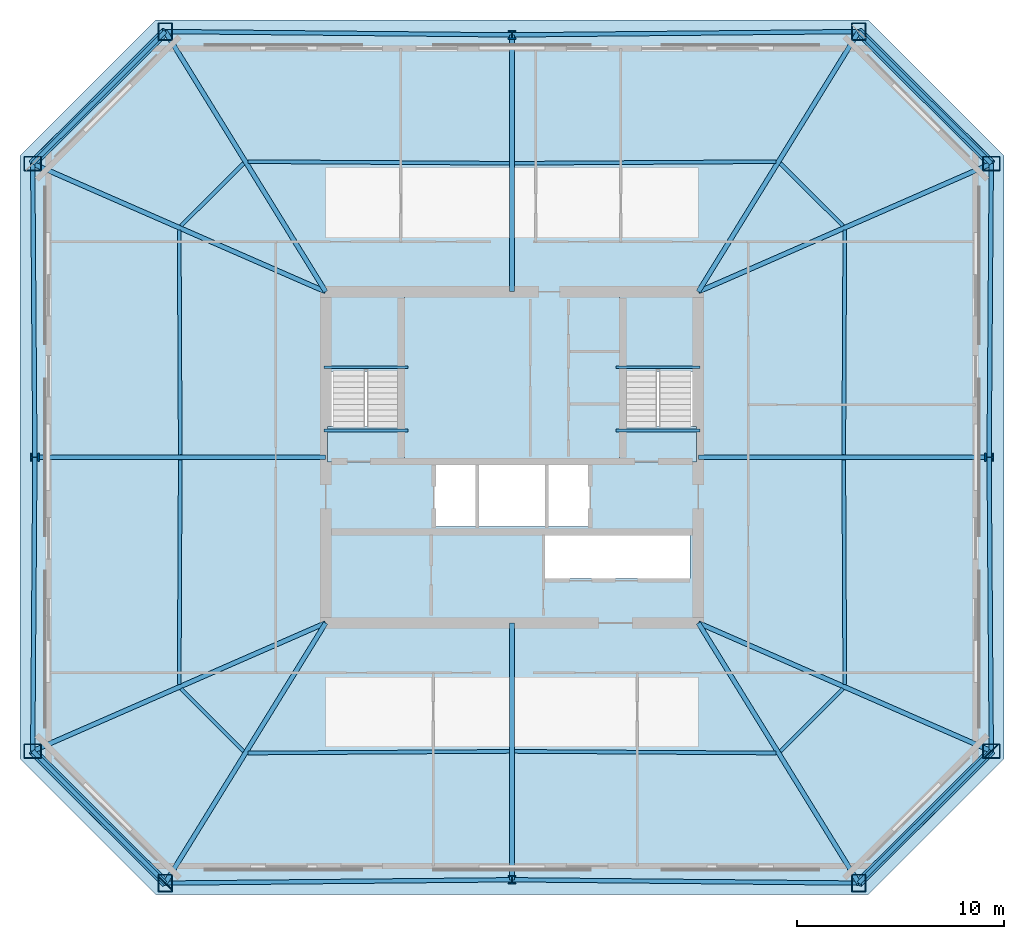
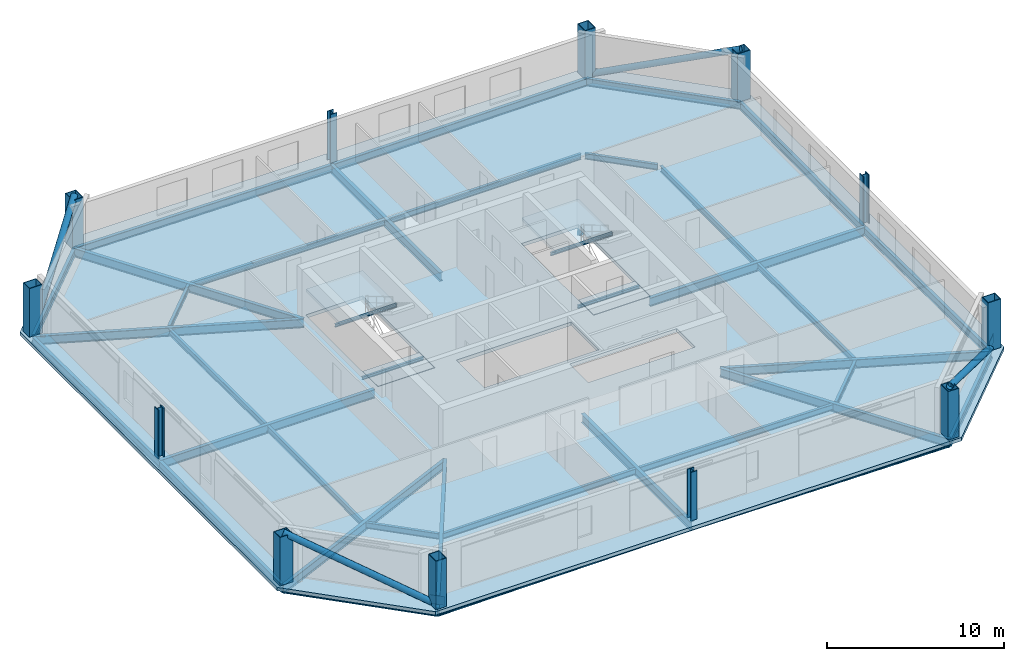
# One storey, part 1 of 6: 40 beams, 12 columns, 5 slabs, 4 members, 2 plates, 2 elements without a shape of their own.
"""IFC4 building model written with IfcOpenShell, lengths in metres."""

from ifc_helpers import new_model, si_unit, direction, frame, origin, origin_2d, place, context, subcontext, project, spatial, polyline, rectangle, hollow_rectangle, hollow_circle, i_section, outline, extrude, material, layer, layer_set, material_profile, profile_set, type_object, element, aggregate, save


model = new_model("IFC4")

# Units and contexts
model_context = context("Model", 3, precision=1e-05, world=origin(), true_north=direction((0.0, 1.0)))
body_context = subcontext(model_context, "Body", "Model", "MODEL_VIEW")
ifc_project = project(units=[si_unit("LENGTHUNIT", "METRE"), si_unit("AREAUNIT", "SQUARE_METRE"), si_unit("VOLUMEUNIT", "CUBIC_METRE"), si_unit("PLANEANGLEUNIT", "RADIAN"), si_unit("MASSUNIT", "GRAM", prefix="KILO")], contexts=[model_context])

# Site, building, storey
site_placement = place(None, origin())
site = spatial("IfcSite", under=ifc_project, at=site_placement, CompositionType="ELEMENT")
building_placement = place(site_placement, origin())
building = spatial("IfcBuilding", under=site, at=building_placement, Name="Caelvoria Tower", CompositionType="ELEMENT")
storey_placement = place(building_placement, frame((0.0, 0.0, 180.60009765625)))
storey = spatial("IfcBuildingStorey", under=building, at=storey_placement, Name="L47", CompositionType="ELEMENT", Elevation=180.60009765625)

# Columns
ifc_material_1 = material(Name="Structural Steel ASTM A572 Gr.50", Category="steel")
ifc_material_profile_1 = material_profile(ifc_material_1, hollow_rectangle(XDim=0.699951171875, YDim=0.85009765625, WallThickness=0.0400390625, at=origin_2d()), Name="Structural Steel ASTM A572 Gr.50")
ifc_profile_set_1 = profile_set([ifc_material_profile_1], Name="BOX850X700X40 - Structural Steel ASTM A572 Gr.50")
column_type_1 = type_object("IfcColumnType", Name="Mega Box Column 850x700x40", PredefinedType="COLUMN", material=ifc_profile_set_1)
for number, where, z_axis, x_axis, name in (
    (1, (29.254638671875, 11.438232421875, 0.0), (0.0, 0.0, 1.0), (1.0, 0.0, 0.0), "Perimeter Megaframe Column L47-P00"),
    (2, (62.745361328125, 11.438232421875, 0.0), (0.0, 0.0, 1.0), (1.0, 0.0, 0.0), "Perimeter Megaframe Column L47-P02"),
    (3, (69.14599609375, 17.816162109375, 0.0), (0.0, 0.0, 1.0), (0.0, 1.0, 0.0), "Perimeter Megaframe Column L47-P03"),
    (4, (69.14599609375, 46.183837890625, 0.0), (0.0, 0.0, 1.0), (0.0, 1.0, 0.0), "Perimeter Megaframe Column L47-P05"),
    (5, (62.745361328125, 52.561767578125, 0.0), (0.0, 0.0, 1.0), (1.0, 0.0, 0.0), "Perimeter Megaframe Column L47-P06"),
    (6, (29.254638671875, 52.561767578125, 0.0), (0.0, 0.0, 1.0), (1.0, 0.0, 0.0), "Perimeter Megaframe Column L47-P08"),
    (7, (22.85400390625, 46.183837890625, 0.0), (0.0, 0.0, 1.0), (0.0, 1.0, 0.0), "Perimeter Megaframe Column L47-P09"),
    (8, (22.85400390625, 17.816162109375, 0.0), (0.0, 0.0, 1.0), (0.0, 1.0, 0.0), "Perimeter Megaframe Column L47-P11"),
):
    element("IfcColumn", number, at=place(storey_placement, frame(where, z_axis=z_axis, x_axis=x_axis)), inside=storey, type_object=column_type_1, Name=name, PredefinedType="COLUMN", context=body_context, shape_type="SweptSolid", body=[
        extrude(hollow_rectangle(XDim=0.699951171875, YDim=0.85009765625, WallThickness=0.0400390625, at=origin_2d()), origin(), (0.0, 0.0, 1.0), 3.35791015625),
    ])
ifc_material_2 = material(Name="Structural Steel ASTM A992 Gr.50", Category="steel")
ifc_material_profile_2 = material_profile(ifc_material_2, i_section(OverallWidth=0.406005859375, OverallDepth=0.425048828125, WebThickness=0.03271484375, FlangeThickness=0.052490234375, FilletRadius=0.02490234375, at=origin_2d()), Name="Structural Steel ASTM A992 Gr.50")
ifc_profile_set_2 = profile_set([ifc_material_profile_2], Name="W360X421 - Structural Steel ASTM A992 Gr.50")
column_type_2 = type_object("IfcColumnType", Name="Mid Frame Column W360X421", PredefinedType="COLUMN", material=ifc_profile_set_2)
for number, where, z_axis, x_axis, name in (
    (9, (46.0, 11.60009765625, 0.0), (0.0, 0.0, 1.0), (1.0, 0.0, 0.0), "Perimeter Megaframe Column L47-P01"),
    (10, (69.0400390625, 32.0, 0.0), (0.0, 0.0, 1.0), (0.0, 1.0, 0.0), "Perimeter Megaframe Column L47-P04"),
    (11, (46.0, 52.39990234375, 0.0), (0.0, 0.0, 1.0), (1.0, 0.0, 0.0), "Perimeter Megaframe Column L47-P07"),
    (12, (22.9599609375, 32.0, 0.0), (0.0, 0.0, 1.0), (0.0, 1.0, 0.0), "Perimeter Megaframe Column L47-P10"),
):
    element("IfcColumn", number, at=place(storey_placement, frame(where, z_axis=z_axis, x_axis=x_axis)), inside=storey, type_object=column_type_2, Name=name, PredefinedType="COLUMN", context=body_context, shape_type="SweptSolid", body=[
        extrude(i_section(OverallWidth=0.406005859375, OverallDepth=0.425048828125, WebThickness=0.03271484375, FlangeThickness=0.052490234375, FilletRadius=0.02490234375, at=origin_2d()), origin(), (0.0, 0.0, 1.0), 3.35791015625),
    ])

# Beams
ifc_material_profile_3 = material_profile(ifc_material_2, i_section(OverallWidth=0.134033203125, OverallDepth=0.2099609375, WebThickness=0.00634765625, FlangeThickness=0.01025390625, FilletRadius=0.010009765625, at=origin_2d()), Name="Structural Steel ASTM A992 Gr.50")
ifc_profile_set_3 = profile_set([ifc_material_profile_3], Name="W200X31.3 - Structural Steel ASTM A992 Gr.50")
beam_type_1 = type_object("IfcBeamType", Name="Canopy Edge Trim Beam W200X31.3", PredefinedType="BEAM", material=ifc_profile_set_3)
for number, where, z_axis, x_axis, name in (
    (13, (36.929931640625, 36.35009765625, 1.494873046875), (1.0, 0.0, 0.0), (0.0, 1.0, 0.0), "ST-01 Half-Landing Support Beam L47"),
    (14, (36.929931640625, 33.300048828125, -0.30517578125), (1.0, 0.0, 0.0), (0.0, 1.0, 0.0), "ST-01 Floor-Landing Support Beam L47"),
    (15, (51.030029296875, 36.35009765625, 1.494873046875), (1.0, 0.0, 0.0), (0.0, 1.0, 0.0), "ST-02 Half-Landing Support Beam L47"),
    (16, (51.030029296875, 33.300048828125, -0.30517578125), (1.0, 0.0, 0.0), (0.0, 1.0, 0.0), "ST-02 Floor-Landing Support Beam L47"),
):
    element("IfcBeam", number, at=place(storey_placement, frame(where, z_axis=z_axis, x_axis=x_axis)), inside=storey, type_object=beam_type_1, Name=name, PredefinedType="BEAM", context=body_context, shape_type="SweptSolid", body=[
        extrude(i_section(OverallWidth=0.134033203125, OverallDepth=0.2099609375, WebThickness=0.00634765625, FlangeThickness=0.01025390625, FilletRadius=0.010009765625, at=origin_2d()), origin(), (0.0, 0.0, 1.0), 4.0400390625),
    ])
ifc_material_profile_4 = material_profile(ifc_material_2, i_section(OverallWidth=0.22802734375, OverallDepth=0.60302734375, WebThickness=0.010498046875, FlangeThickness=0.014892578125, FilletRadius=0.01806640625, at=origin_2d()), Name="Structural Steel ASTM A992 Gr.50")
ifc_profile_set_4 = profile_set([ifc_material_profile_4], Name="W610X101 - Structural Steel ASTM A992 Gr.50")
beam_type_2 = type_object("IfcBeamType", Name="Primary Floor Girder W610X101", PredefinedType="BEAM", material=ifc_profile_set_4)
beam_1_placement = place(storey_placement, frame((37.0, 24.0, -0.54150390625), z_axis=(-0.524836565111, -0.851203019216, 0.0), x_axis=(0.851203019216, -0.524836565111, 0.0)))
element("IfcBeam", 17, at=beam_1_placement, inside=storey, type_object=beam_type_2, Name="Primary Floor Girder L47-00", PredefinedType="BEAM", context=body_context, shape_type="SweptSolid", body=[
    extrude(i_section(OverallWidth=0.22802734375, OverallDepth=0.60302734375, WebThickness=0.010498046875, FlangeThickness=0.014892578125, FilletRadius=0.01806640625, at=origin_2d()), origin(), (0.0, 0.0, 1.0), 14.757568359375),
])
beam_2_placement = place(storey_placement, frame((46.0, 24.0, -0.54150390625), z_axis=(0.0, -1.0, 0.0), x_axis=(1.0, 0.0, 0.0)))
element("IfcBeam", 18, at=beam_2_placement, inside=storey, type_object=beam_type_2, Name="Primary Floor Girder L47-01", PredefinedType="BEAM", context=body_context, shape_type="SweptSolid", body=[
    extrude(i_section(OverallWidth=0.22802734375, OverallDepth=0.60302734375, WebThickness=0.010498046875, FlangeThickness=0.014892578125, FilletRadius=0.01806640625, at=origin_2d()), origin(), (0.0, 0.0, 1.0), 12.39990234375),
])
beam_3_placement = place(storey_placement, frame((55.0, 24.0, -0.54150390625), z_axis=(0.524836565111, -0.851203019216, 0.0), x_axis=(0.851203019216, 0.524836565111, 0.0)))
element("IfcBeam", 19, at=beam_3_placement, inside=storey, type_object=beam_type_2, Name="Primary Floor Girder L47-02", PredefinedType="BEAM", context=body_context, shape_type="SweptSolid", body=[
    extrude(i_section(OverallWidth=0.22802734375, OverallDepth=0.60302734375, WebThickness=0.010498046875, FlangeThickness=0.014892578125, FilletRadius=0.01806640625, at=origin_2d()), origin(), (0.0, 0.0, 1.0), 14.757568359375),
])
beam_4_placement = place(storey_placement, frame((55.0, 24.0, -0.54150390625), z_axis=(0.916277063291, -0.400545057749, 0.0), x_axis=(0.400545057749, 0.916277063291, 0.0)))
element("IfcBeam", 20, at=beam_4_placement, inside=storey, type_object=beam_type_2, Name="Primary Floor Girder L47-03", PredefinedType="BEAM", context=body_context, shape_type="SweptSolid", body=[
    extrude(i_section(OverallWidth=0.22802734375, OverallDepth=0.60302734375, WebThickness=0.010498046875, FlangeThickness=0.014892578125, FilletRadius=0.01806640625, at=origin_2d()), origin(), (0.0, 0.0, 1.0), 15.4384765625),
])
beam_5_placement = place(storey_placement, frame((55.0, 32.0, -0.54150390625), z_axis=(1.0, 0.0, 0.0), x_axis=(0.0, 1.0, 0.0)))
element("IfcBeam", 21, at=beam_5_placement, inside=storey, type_object=beam_type_2, Name="Primary Floor Girder L47-04", PredefinedType="BEAM", context=body_context, shape_type="SweptSolid", body=[
    extrude(i_section(OverallWidth=0.22802734375, OverallDepth=0.60302734375, WebThickness=0.010498046875, FlangeThickness=0.014892578125, FilletRadius=0.01806640625, at=origin_2d()), origin(), (0.0, 0.0, 1.0), 14.0400390625),
])
beam_6_placement = place(storey_placement, frame((55.0, 40.0, -0.54150390625), z_axis=(0.916277063291, 0.400545057749, 0.0), x_axis=(-0.400545057749, 0.916277063291, 0.0)))
element("IfcBeam", 22, at=beam_6_placement, inside=storey, type_object=beam_type_2, Name="Primary Floor Girder L47-05", PredefinedType="BEAM", context=body_context, shape_type="SweptSolid", body=[
    extrude(i_section(OverallWidth=0.22802734375, OverallDepth=0.60302734375, WebThickness=0.010498046875, FlangeThickness=0.014892578125, FilletRadius=0.01806640625, at=origin_2d()), origin(), (0.0, 0.0, 1.0), 15.4384765625),
])
beam_7_placement = place(storey_placement, frame((55.0, 40.0, -0.54150390625), z_axis=(0.524836565111, 0.851203019216, 0.0), x_axis=(-0.851203019216, 0.524836565111, 0.0)))
element("IfcBeam", 23, at=beam_7_placement, inside=storey, type_object=beam_type_2, Name="Primary Floor Girder L47-06", PredefinedType="BEAM", context=body_context, shape_type="SweptSolid", body=[
    extrude(i_section(OverallWidth=0.22802734375, OverallDepth=0.60302734375, WebThickness=0.010498046875, FlangeThickness=0.014892578125, FilletRadius=0.01806640625, at=origin_2d()), origin(), (0.0, 0.0, 1.0), 14.757568359375),
])
beam_8_placement = place(storey_placement, frame((46.0, 40.0, -0.54150390625), z_axis=(0.0, 1.0, 0.0), x_axis=(-1.0, 0.0, 0.0)))
element("IfcBeam", 24, at=beam_8_placement, inside=storey, type_object=beam_type_2, Name="Primary Floor Girder L47-07", PredefinedType="BEAM", context=body_context, shape_type="SweptSolid", body=[
    extrude(i_section(OverallWidth=0.22802734375, OverallDepth=0.60302734375, WebThickness=0.010498046875, FlangeThickness=0.014892578125, FilletRadius=0.01806640625, at=origin_2d()), origin(), (0.0, 0.0, 1.0), 12.39990234375),
])
beam_9_placement = place(storey_placement, frame((37.0, 40.0, -0.54150390625), z_axis=(-0.524836565111, 0.851203019216, 0.0), x_axis=(-0.851203019216, -0.524836565111, 0.0)))
element("IfcBeam", 25, at=beam_9_placement, inside=storey, type_object=beam_type_2, Name="Primary Floor Girder L47-08", PredefinedType="BEAM", context=body_context, shape_type="SweptSolid", body=[
    extrude(i_section(OverallWidth=0.22802734375, OverallDepth=0.60302734375, WebThickness=0.010498046875, FlangeThickness=0.014892578125, FilletRadius=0.01806640625, at=origin_2d()), origin(), (0.0, 0.0, 1.0), 14.757568359375),
])
beam_10_placement = place(storey_placement, frame((37.0, 40.0, -0.54150390625), z_axis=(-0.916277063291, 0.400545057749, 0.0), x_axis=(-0.400545057749, -0.916277063291, 0.0)))
element("IfcBeam", 26, at=beam_10_placement, inside=storey, type_object=beam_type_2, Name="Primary Floor Girder L47-09", PredefinedType="BEAM", context=body_context, shape_type="SweptSolid", body=[
    extrude(i_section(OverallWidth=0.22802734375, OverallDepth=0.60302734375, WebThickness=0.010498046875, FlangeThickness=0.014892578125, FilletRadius=0.01806640625, at=origin_2d()), origin(), (0.0, 0.0, 1.0), 15.4384765625),
])
beam_11_placement = place(storey_placement, frame((37.0, 32.0, -0.54150390625), z_axis=(-1.0, 0.0, 0.0), x_axis=(0.0, -1.0, 0.0)))
element("IfcBeam", 27, at=beam_11_placement, inside=storey, type_object=beam_type_2, Name="Primary Floor Girder L47-10", PredefinedType="BEAM", context=body_context, shape_type="SweptSolid", body=[
    extrude(i_section(OverallWidth=0.22802734375, OverallDepth=0.60302734375, WebThickness=0.010498046875, FlangeThickness=0.014892578125, FilletRadius=0.01806640625, at=origin_2d()), origin(), (0.0, 0.0, 1.0), 14.0400390625),
])
beam_12_placement = place(storey_placement, frame((37.0, 24.0, -0.54150390625), z_axis=(-0.916277063291, -0.400545057749, 0.0), x_axis=(0.400545057749, -0.916277063291, 0.0)))
element("IfcBeam", 28, at=beam_12_placement, inside=storey, type_object=beam_type_2, Name="Primary Floor Girder L47-11", PredefinedType="BEAM", context=body_context, shape_type="SweptSolid", body=[
    extrude(i_section(OverallWidth=0.22802734375, OverallDepth=0.60302734375, WebThickness=0.010498046875, FlangeThickness=0.014892578125, FilletRadius=0.01806640625, at=origin_2d()), origin(), (0.0, 0.0, 1.0), 15.4384765625),
])
ifc_material_profile_5 = material_profile(ifc_material_2, i_section(OverallWidth=0.177978515625, OverallDepth=0.406982421875, WebThickness=0.0078125, FlangeThickness=0.0126953125, FilletRadius=0.013916015625, at=origin_2d()), Name="Structural Steel ASTM A992 Gr.50")
ifc_profile_set_5 = profile_set([ifc_material_profile_5], Name="W410X60 - Structural Steel ASTM A992 Gr.50")
beam_type_3 = type_object("IfcBeamType", Name="Secondary Floor Beam W410X60", PredefinedType="BEAM", material=ifc_profile_set_5)
for number, where, z_axis, x_axis, name in (
    (29, (33.252197265625, 17.719970703125, -0.443603515625), (0.999980244302, 0.00628577799, 0.0), (-0.00628577799, 0.999980244302, 0.0), "Secondary Floor Beam L47-00"),
    (30, (46.125, 17.79931640625, -0.443603515625), (0.999980244302, -0.00628577799, 0.0), (0.00628577799, 0.999980244302, 0.0), "Secondary Floor Beam L47-01"),
):
    element("IfcBeam", number, at=place(storey_placement, frame(where, z_axis=z_axis, x_axis=x_axis)), inside=storey, type_object=beam_type_3, Name=name, PredefinedType="BEAM", context=body_context, shape_type="SweptSolid", body=[
        extrude(i_section(OverallWidth=0.177978515625, OverallDepth=0.406982421875, WebThickness=0.0078125, FlangeThickness=0.0126953125, FilletRadius=0.013916015625, at=origin_2d()), origin(), (0.0, 0.0, 1.0), 12.623046875),
    ])
beam_13_placement = place(storey_placement, frame((58.961181640625, 17.807373046875, -0.443603515625), z_axis=(0.708392660482, 0.705818559245, 0.0), x_axis=(-0.705818559245, 0.708392660482, 0.0)))
element("IfcBeam", 31, at=beam_13_placement, inside=storey, type_object=beam_type_3, Name="Secondary Floor Beam L47-02", PredefinedType="BEAM", context=body_context, shape_type="SweptSolid", body=[
    extrude(i_section(OverallWidth=0.177978515625, OverallDepth=0.406982421875, WebThickness=0.0078125, FlangeThickness=0.0126953125, FilletRadius=0.013916015625, at=origin_2d()), origin(), (0.0, 0.0, 1.0), 4.26806640625),
])
for number, where, z_axis, x_axis, name in (
    (32, (62.072509765625, 21.033203125, -0.443603515625), (-0.004796377903, 0.999988497313, 0.0), (-0.999988497313, -0.004796377903, 0.0), "Secondary Floor Beam L47-03"),
    (33, (62.0205078125, 32.125, -0.443603515625), (0.004796377903, 0.999988497313, 0.0), (-0.999988497313, 0.004796377903, 0.0), "Secondary Floor Beam L47-04"),
):
    element("IfcBeam", number, at=place(storey_placement, frame(where, z_axis=z_axis, x_axis=x_axis)), inside=storey, type_object=beam_type_3, Name=name, PredefinedType="BEAM", context=body_context, shape_type="SweptSolid", body=[
        extrude(i_section(OverallWidth=0.177978515625, OverallDepth=0.406982421875, WebThickness=0.0078125, FlangeThickness=0.0126953125, FilletRadius=0.013916015625, at=origin_2d()), origin(), (0.0, 0.0, 1.0), 10.842041015625),
    ])
beam_14_placement = place(storey_placement, frame((61.984619140625, 43.18017578125, -0.443603515625), z_axis=(-0.708392660482, 0.705818559245, 0.0), x_axis=(-0.705818559245, -0.708392660482, 0.0)))
element("IfcBeam", 34, at=beam_14_placement, inside=storey, type_object=beam_type_3, Name="Secondary Floor Beam L47-05", PredefinedType="BEAM", context=body_context, shape_type="SweptSolid", body=[
    extrude(i_section(OverallWidth=0.177978515625, OverallDepth=0.406982421875, WebThickness=0.0078125, FlangeThickness=0.0126953125, FilletRadius=0.013916015625, at=origin_2d()), origin(), (0.0, 0.0, 1.0), 4.26806640625),
])
for number, where, z_axis, x_axis, name in (
    (35, (58.747802734375, 46.280029296875, -0.443603515625), (-0.999980244302, -0.00628577799, 0.0), (0.00628577799, -0.999980244302, 0.0), "Secondary Floor Beam L47-06"),
    (36, (45.875, 46.20068359375, -0.443603515625), (-0.999980244302, 0.00628577799, 0.0), (-0.00628577799, -0.999980244302, 0.0), "Secondary Floor Beam L47-07"),
):
    element("IfcBeam", number, at=place(storey_placement, frame(where, z_axis=z_axis, x_axis=x_axis)), inside=storey, type_object=beam_type_3, Name=name, PredefinedType="BEAM", context=body_context, shape_type="SweptSolid", body=[
        extrude(i_section(OverallWidth=0.177978515625, OverallDepth=0.406982421875, WebThickness=0.0078125, FlangeThickness=0.0126953125, FilletRadius=0.013916015625, at=origin_2d()), origin(), (0.0, 0.0, 1.0), 12.623046875),
    ])
beam_15_placement = place(storey_placement, frame((33.038818359375, 46.192626953125, -0.443603515625), z_axis=(-0.708392660482, -0.705818559245, 0.0), x_axis=(0.705818559245, -0.708392660482, 0.0)))
element("IfcBeam", 37, at=beam_15_placement, inside=storey, type_object=beam_type_3, Name="Secondary Floor Beam L47-08", PredefinedType="BEAM", context=body_context, shape_type="SweptSolid", body=[
    extrude(i_section(OverallWidth=0.177978515625, OverallDepth=0.406982421875, WebThickness=0.0078125, FlangeThickness=0.0126953125, FilletRadius=0.013916015625, at=origin_2d()), origin(), (0.0, 0.0, 1.0), 4.26806640625),
])
for number, where, z_axis, x_axis, name in (
    (38, (29.927490234375, 42.966796875, -0.443603515625), (0.004796377903, -0.999988497313, 0.0), (0.999988497313, 0.004796377903, 0.0), "Secondary Floor Beam L47-09"),
    (39, (29.9794921875, 31.875, -0.443603515625), (-0.004796377903, -0.999988497313, 0.0), (0.999988497313, -0.004796377903, 0.0), "Secondary Floor Beam L47-10"),
):
    element("IfcBeam", number, at=place(storey_placement, frame(where, z_axis=z_axis, x_axis=x_axis)), inside=storey, type_object=beam_type_3, Name=name, PredefinedType="BEAM", context=body_context, shape_type="SweptSolid", body=[
        extrude(i_section(OverallWidth=0.177978515625, OverallDepth=0.406982421875, WebThickness=0.0078125, FlangeThickness=0.0126953125, FilletRadius=0.013916015625, at=origin_2d()), origin(), (0.0, 0.0, 1.0), 10.842041015625),
    ])
beam_16_placement = place(storey_placement, frame((30.015380859375, 20.81982421875, -0.443603515625), z_axis=(0.708392660482, -0.705818559245, 0.0), x_axis=(0.705818559245, 0.708392660482, 0.0)))
element("IfcBeam", 40, at=beam_16_placement, inside=storey, type_object=beam_type_3, Name="Secondary Floor Beam L47-11", PredefinedType="BEAM", context=body_context, shape_type="SweptSolid", body=[
    extrude(i_section(OverallWidth=0.177978515625, OverallDepth=0.406982421875, WebThickness=0.0078125, FlangeThickness=0.0126953125, FilletRadius=0.013916015625, at=origin_2d()), origin(), (0.0, 0.0, 1.0), 4.26806640625),
])

# Members
ifc_material_profile_6 = material_profile(ifc_material_1, hollow_circle(Radius=0.202880859375, WallThickness=0.01611328125, at=origin_2d()), Name="Structural Steel ASTM A572 Gr.50")
ifc_profile_set_6 = profile_set([ifc_material_profile_6], Name="CHS406X16 - Structural Steel ASTM A572 Gr.50")
member_type = type_object("IfcMemberType", Name="Upper Perimeter Mega Brace CHS406X16", PredefinedType="BRACE", material=ifc_profile_set_6)
for number, where, z_axis, x_axis, name in (
    (41, (69.14599609375, 17.816162109375, 0.0), (-0.663947708467, -0.661592475722, 0.34852379616), (0.705849272751, -0.708362057254, 0.0), "Perimeter Chamfer Mega Brace L47 SE"),
    (42, (62.745361328125, 52.561767578125, 0.0), (0.663947708467, -0.661592475722, 0.34852379616), (0.705849272751, 0.708362057254, 0.0), "Perimeter Chamfer Mega Brace L47 NE"),
    (43, (22.85400390625, 46.183837890625, 0.0), (0.663947708467, 0.661592475722, 0.34852379616), (-0.705849272751, 0.708362057254, 0.0), "Perimeter Chamfer Mega Brace L47 NW"),
    (44, (29.254638671875, 11.438232421875, 0.0), (-0.663947708467, 0.661592475722, 0.34852379616), (-0.705849272751, -0.708362057254, 0.0), "Perimeter Chamfer Mega Brace L47 SW"),
):
    element("IfcMember", number, at=place(storey_placement, frame(where, z_axis=z_axis, x_axis=x_axis)), inside=storey, type_object=member_type, Name=name, PredefinedType="BRACE", context=body_context, shape_type="SweptSolid", body=[
        extrude(hollow_circle(Radius=0.202880859375, WallThickness=0.01611328125, at=origin_2d()), origin(), (0.0, 0.0, 1.0), 9.640380859375),
    ])

# Beams
ifc_material_profile_7 = material_profile(ifc_material_2, i_section(OverallWidth=0.208984375, OverallDepth=0.532958984375, WebThickness=0.01025390625, FlangeThickness=0.015625, FilletRadius=0.01611328125, at=origin_2d()), Name="Structural Steel ASTM A992 Gr.50")
ifc_profile_set_7 = profile_set([ifc_material_profile_7], Name="W530X92 - Structural Steel ASTM A992 Gr.50")
beam_type_4 = type_object("IfcBeamType", Name="Upper Zone Spandrel W530X92", PredefinedType="BEAM", material=ifc_profile_set_7)
for number, where, z_axis, x_axis, name in (
    (45, (29.254638671875, 11.438232421875, -0.506591796875), (0.999953284857, 0.009665821456, 0.0), (-0.009665821456, 0.999953284857, 0.0), "Perimeter Spandrel Girder L47-00"),
    (46, (46.0, 11.60009765625, -0.506591796875), (0.999953284857, -0.009665821456, 0.0), (0.009665821456, 0.999953284857, 0.0), "Perimeter Spandrel Girder L47-01"),
):
    element("IfcBeam", number, at=place(storey_placement, frame(where, z_axis=z_axis, x_axis=x_axis)), inside=storey, type_object=beam_type_4, Name=name, PredefinedType="BEAM", context=body_context, shape_type="SweptSolid", body=[
        extrude(i_section(OverallWidth=0.208984375, OverallDepth=0.532958984375, WebThickness=0.01025390625, FlangeThickness=0.015625, FilletRadius=0.01611328125, at=origin_2d()), origin(), (0.0, 0.0, 1.0), 16.74609375),
    ])
beam_17_placement = place(storey_placement, frame((62.745361328125, 11.438232421875, -0.506591796875), z_axis=(0.708362057254, 0.705849272751, 0.0), x_axis=(-0.705849272751, 0.708362057254, 0.0)))
element("IfcBeam", 47, at=beam_17_placement, inside=storey, type_object=beam_type_4, Name="Perimeter Spandrel Girder L47-02", PredefinedType="BEAM", context=body_context, shape_type="SweptSolid", body=[
    extrude(i_section(OverallWidth=0.208984375, OverallDepth=0.532958984375, WebThickness=0.01025390625, FlangeThickness=0.015625, FilletRadius=0.01611328125, at=origin_2d()), origin(), (0.0, 0.0, 1.0), 9.035888671875),
])
for number, where, z_axis, x_axis, name in (
    (48, (69.14599609375, 17.816162109375, -0.506591796875), (-0.007470056816, 0.999972098736, 0.0), (-0.999972098736, -0.007470056816, 0.0), "Perimeter Spandrel Girder L47-03"),
    (49, (69.0400390625, 32.0, -0.506591796875), (0.007470056816, 0.999972098736, 0.0), (-0.999972098736, 0.007470056816, 0.0), "Perimeter Spandrel Girder L47-04"),
):
    element("IfcBeam", number, at=place(storey_placement, frame(where, z_axis=z_axis, x_axis=x_axis)), inside=storey, type_object=beam_type_4, Name=name, PredefinedType="BEAM", context=body_context, shape_type="SweptSolid", body=[
        extrude(i_section(OverallWidth=0.208984375, OverallDepth=0.532958984375, WebThickness=0.01025390625, FlangeThickness=0.015625, FilletRadius=0.01611328125, at=origin_2d()), origin(), (0.0, 0.0, 1.0), 14.184326171875),
    ])
beam_18_placement = place(storey_placement, frame((69.14599609375, 46.183837890625, -0.506591796875), z_axis=(-0.708362057254, 0.705849272751, 0.0), x_axis=(-0.705849272751, -0.708362057254, 0.0)))
element("IfcBeam", 50, at=beam_18_placement, inside=storey, type_object=beam_type_4, Name="Perimeter Spandrel Girder L47-05", PredefinedType="BEAM", context=body_context, shape_type="SweptSolid", body=[
    extrude(i_section(OverallWidth=0.208984375, OverallDepth=0.532958984375, WebThickness=0.01025390625, FlangeThickness=0.015625, FilletRadius=0.01611328125, at=origin_2d()), origin(), (0.0, 0.0, 1.0), 9.035888671875),
])
for number, where, z_axis, x_axis, name in (
    (51, (62.745361328125, 52.561767578125, -0.506591796875), (-0.999953284857, -0.009665821456, 0.0), (0.009665821456, -0.999953284857, 0.0), "Perimeter Spandrel Girder L47-06"),
    (52, (46.0, 52.39990234375, -0.506591796875), (-0.999953284857, 0.009665821456, 0.0), (-0.009665821456, -0.999953284857, 0.0), "Perimeter Spandrel Girder L47-07"),
):
    element("IfcBeam", number, at=place(storey_placement, frame(where, z_axis=z_axis, x_axis=x_axis)), inside=storey, type_object=beam_type_4, Name=name, PredefinedType="BEAM", context=body_context, shape_type="SweptSolid", body=[
        extrude(i_section(OverallWidth=0.208984375, OverallDepth=0.532958984375, WebThickness=0.01025390625, FlangeThickness=0.015625, FilletRadius=0.01611328125, at=origin_2d()), origin(), (0.0, 0.0, 1.0), 16.74609375),
    ])
beam_19_placement = place(storey_placement, frame((29.254638671875, 52.561767578125, -0.506591796875), z_axis=(-0.708362057254, -0.705849272751, 0.0), x_axis=(0.705849272751, -0.708362057254, 0.0)))
element("IfcBeam", 53, at=beam_19_placement, inside=storey, type_object=beam_type_4, Name="Perimeter Spandrel Girder L47-08", PredefinedType="BEAM", context=body_context, shape_type="SweptSolid", body=[
    extrude(i_section(OverallWidth=0.208984375, OverallDepth=0.532958984375, WebThickness=0.01025390625, FlangeThickness=0.015625, FilletRadius=0.01611328125, at=origin_2d()), origin(), (0.0, 0.0, 1.0), 9.035888671875),
])
for number, where, z_axis, x_axis, name in (
    (54, (22.85400390625, 46.183837890625, -0.506591796875), (0.007470056816, -0.999972098736, 0.0), (0.999972098736, 0.007470056816, 0.0), "Perimeter Spandrel Girder L47-09"),
    (55, (22.9599609375, 32.0, -0.506591796875), (-0.007470056816, -0.999972098736, 0.0), (0.999972098736, -0.007470056816, 0.0), "Perimeter Spandrel Girder L47-10"),
):
    element("IfcBeam", number, at=place(storey_placement, frame(where, z_axis=z_axis, x_axis=x_axis)), inside=storey, type_object=beam_type_4, Name=name, PredefinedType="BEAM", context=body_context, shape_type="SweptSolid", body=[
        extrude(i_section(OverallWidth=0.208984375, OverallDepth=0.532958984375, WebThickness=0.01025390625, FlangeThickness=0.015625, FilletRadius=0.01611328125, at=origin_2d()), origin(), (0.0, 0.0, 1.0), 14.184326171875),
    ])
beam_20_placement = place(storey_placement, frame((22.85400390625, 17.816162109375, -0.506591796875), z_axis=(0.708362057254, -0.705849272751, 0.0), x_axis=(0.705849272751, 0.708362057254, 0.0)))
element("IfcBeam", 56, at=beam_20_placement, inside=storey, type_object=beam_type_4, Name="Perimeter Spandrel Girder L47-11", PredefinedType="BEAM", context=body_context, shape_type="SweptSolid", body=[
    extrude(i_section(OverallWidth=0.208984375, OverallDepth=0.532958984375, WebThickness=0.01025390625, FlangeThickness=0.015625, FilletRadius=0.01611328125, at=origin_2d()), origin(), (0.0, 0.0, 1.0), 9.035888671875),
])

# Plates
ifc_layer_1 = layer(ifc_material_1, 0.0400390625, Name="Structural Steel ASTM A572 Gr.50")
ifc_layer_set_1 = layer_set([ifc_layer_1], Name="Megaframe Node Gusset Plate 900x600x40 - Structural Steel ASTM A572 Gr.50")
plate_type = type_object("IfcPlateType", Name="Megaframe Node Gusset Plate 900x600x40", PredefinedType="USERDEFINED", material=ifc_layer_set_1)
for number, where, z_axis, x_axis, name in (
    (57, (69.14599609375, 17.816162109375, 0.019775390625), (0.0, 0.0, 1.0), (-0.708373100352, -0.705838190166, 0.0), "Chamfer Mega Brace Gusset L47 SE"),
    (58, (29.254638671875, 11.438232421875, 0.019775390625), (0.0, 0.0, 1.0), (-0.708373100352, 0.705838190166, 0.0), "Chamfer Mega Brace Gusset L47 SW"),
):
    element("IfcPlate", number, at=place(storey_placement, frame(where, z_axis=z_axis, x_axis=x_axis)), inside=storey, type_object=plate_type, Name=name, ObjectType="GUSSET_PLATE", PredefinedType="USERDEFINED", context=body_context, shape_type="SweptSolid", body=[
        extrude(rectangle(XDim=0.89990234375, YDim=0.0400390625, at=origin_2d()), origin(), (0.0, 0.0, 1.0), 0.60009765625),
    ])

# Stair, slabs
ifc_material_3 = material(Name="Concrete C40/50", Category="concrete")
stair_type = type_object("IfcStairType", Name="Core Smokeproof Dogleg Stair Concrete C40/50", PredefinedType="HALF_TURN_STAIR", material=ifc_material_3)
stair_1_placement = place(storey_placement, origin())
stair_1 = element("IfcStair", 59, at=stair_1_placement, inside=storey, type_object=stair_type, Name="ST-01 Smokeproof Exit Stair L47", PredefinedType="HALF_TURN_STAIR")
ifc_layer_2 = layer(ifc_material_3, 0.199951171875, Name="Concrete C40/50")
ifc_layer_set_2 = layer_set([ifc_layer_2], Name="Stair Half and Floor Landing Slab 200 Concrete C40/50 - Concrete C40/50")
slab_type_1 = type_object("IfcSlabType", Name="Stair Half and Floor Landing Slab 200 Concrete C40/50", PredefinedType="LANDING", material=ifc_layer_set_2)
slab_1_placement = place(storey_placement, frame((0.0, 0.0, -0.2001953125)))
slab_1 = element("IfcSlab", 60, at=slab_1_placement, type_object=slab_type_1, Name="ST-01 landing 1", PredefinedType="LANDING", context=body_context, shape_type="SweptSolid", body=[
    extrude(outline(polyline([(37.10009765625, 31.77001953125), (40.800048828125, 31.77001953125), (40.800048828125, 33.5), (37.10009765625, 33.5), (37.10009765625, 31.77001953125)])), origin(), (0.0, 0.0, 1.0), 0.2001953125),
])
slab_2_placement = place(storey_placement, frame((0.0, 0.0, 1.599853515625)))
slab_2 = element("IfcSlab", 61, at=slab_2_placement, type_object=slab_type_1, Name="ST-01 landing 2", PredefinedType="LANDING", context=body_context, shape_type="SweptSolid", body=[
    extrude(outline(polyline([(37.10009765625, 36.14990234375), (40.800048828125, 36.14990234375), (40.800048828125, 39.89990234375), (37.10009765625, 39.89990234375), (37.10009765625, 36.14990234375)])), origin(), (0.0, 0.0, 1.0), 0.199951171875),
])
aggregate(stair_1, [slab_1, slab_2])

stair_2_placement = place(storey_placement, origin())
stair_2 = element("IfcStair", 62, at=stair_2_placement, inside=storey, type_object=stair_type, Name="ST-02 Smokeproof Exit Stair L47", PredefinedType="HALF_TURN_STAIR")
slab_3_placement = place(storey_placement, frame((0.0, 0.0, -0.2001953125)))
slab_3 = element("IfcSlab", 63, at=slab_3_placement, type_object=slab_type_1, Name="ST-02 landing 1", PredefinedType="LANDING", context=body_context, shape_type="SweptSolid", body=[
    extrude(outline(polyline([(51.199951171875, 31.77001953125), (54.89990234375, 31.77001953125), (54.89990234375, 33.5), (51.199951171875, 33.5), (51.199951171875, 31.77001953125)])), origin(), (0.0, 0.0, 1.0), 0.2001953125),
])
slab_4_placement = place(storey_placement, frame((0.0, 0.0, 1.599853515625)))
slab_4 = element("IfcSlab", 64, at=slab_4_placement, type_object=slab_type_1, Name="ST-02 landing 2", PredefinedType="LANDING", context=body_context, shape_type="SweptSolid", body=[
    extrude(outline(polyline([(51.199951171875, 36.14990234375), (54.89990234375, 36.14990234375), (54.89990234375, 39.89990234375), (51.199951171875, 39.89990234375), (51.199951171875, 36.14990234375)])), origin(), (0.0, 0.0, 1.0), 0.199951171875),
])
aggregate(stair_2, [slab_3, slab_4])

# Slab
ifc_layer_3 = layer(ifc_material_3, 0.239990234375, Name="Concrete C40/50")
ifc_layer_set_3 = layer_set([ifc_layer_3], Name="Tower Composite Office Slab 240 - Concrete C40/50")
slab_type_2 = type_object("IfcSlabType", Name="Tower Composite Office Slab 240", PredefinedType="FLOOR", material=ifc_layer_set_3)
slab_5_placement = place(storey_placement, frame((0.0, 0.0, -0.239990234375)))
element("IfcSlab", 65, at=slab_5_placement, inside=storey, type_object=slab_type_2, Name="Level L47 Structural Floor Slab", PredefinedType="FLOOR", context=body_context, shape_type="SweptSolid", body=[
    extrude(outline(polyline([(28.800048828125, 10.8798828125), (63.199951171875, 10.8798828125), (69.760009765625, 17.43994140625), (69.760009765625, 46.56005859375), (63.199951171875, 53.1201171875), (28.800048828125, 53.1201171875), (22.239990234375, 46.56005859375), (22.239990234375, 17.43994140625), (28.800048828125, 10.8798828125)]), holes=[polyline([(37.080078125, 31.75), (40.820068359375, 31.75), (40.820068359375, 39.919921875), (37.080078125, 39.919921875), (37.080078125, 31.75)]), polyline([(51.179931640625, 31.75), (54.919921875, 31.75), (54.919921875, 39.919921875), (51.179931640625, 39.919921875), (51.179931640625, 31.75)]), polyline([(42.25, 28.64990234375), (49.75, 28.64990234375), (49.75, 31.800048828125), (42.25, 31.800048828125), (42.25, 28.64990234375)]), polyline([(47.60009765625, 26.14990234375), (54.60009765625, 26.14990234375), (54.60009765625, 28.25), (47.60009765625, 28.25), (47.60009765625, 26.14990234375)])]), origin(), (0.0, 0.0, 1.0), 0.239990234375),
])

save(model, "model.ifc")
